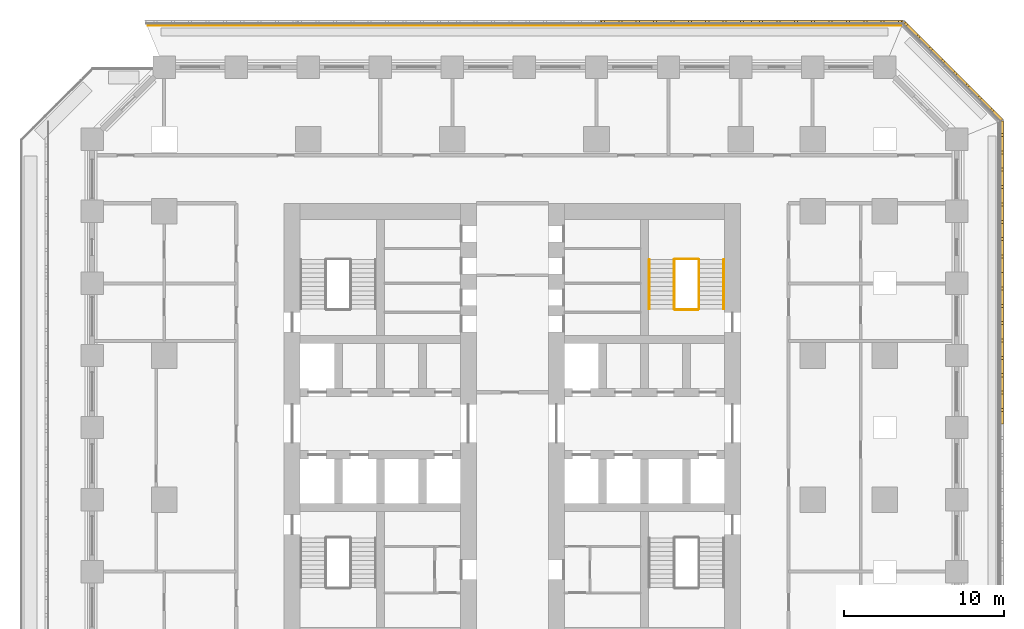
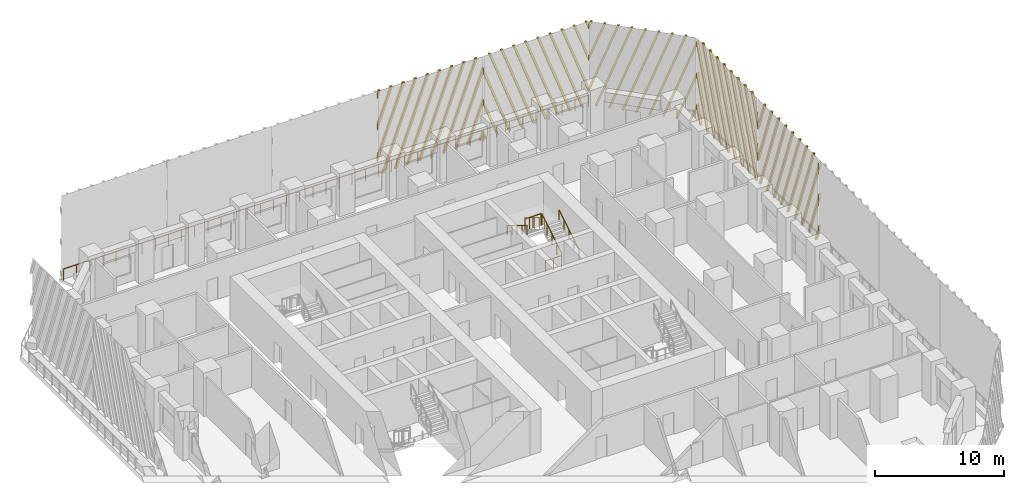
# One storey, part 13 of 15: 7 railings, 5 shading devices.
"""IFC4 building model written with IfcOpenShell, lengths in metres."""

from ifc_helpers import new_model, si_unit, direction, frame, origin, origin_2d, place, context, subcontext, project, spatial, polyline, circle, outline, extrude, source, transform, mapped, material, type_object, element, save


model = new_model("IFC4")

# Units and contexts
model_context = context("Model", 3, precision=1e-05, world=origin(), true_north=direction((0.0, 1.0)))
body_context = subcontext(model_context, "Body", "Model", "MODEL_VIEW")
ifc_project = project(units=[si_unit("LENGTHUNIT", "METRE"), si_unit("AREAUNIT", "SQUARE_METRE"), si_unit("VOLUMEUNIT", "CUBIC_METRE"), si_unit("PLANEANGLEUNIT", "RADIAN"), si_unit("MASSUNIT", "GRAM", prefix="KILO")], contexts=[model_context])

# Site, building, storey
site_placement = place(None, origin())
site = spatial("IfcSite", under=ifc_project, at=site_placement, CompositionType="ELEMENT")
building_placement = place(site_placement, origin())
building = spatial("IfcBuilding", under=site, at=building_placement, Name="Corbel Stack Research Tower", CompositionType="ELEMENT")
storey_placement = place(building_placement, frame((0.0, 0.0, 41.89990234375)))
storey = spatial("IfcBuildingStorey", under=building, at=storey_placement, Name="L09", CompositionType="ELEMENT", Elevation=41.89990234375)

# Railings
ifc_material_1 = material(Name="Steel S355", Category="steel")
railing_type_1 = type_object("IfcRailingType", Name="Stair guard 1100", PredefinedType="GUARDRAIL", material=ifc_material_1)
railing_1_placement = place(storey_placement, frame((15.39990234375, 11.89990234375, 0.1708984375)))
element("IfcRailing", 1, at=railing_1_placement, inside=storey, type_object=railing_type_1, Name="L09 ST-E2 stair guard 1", PredefinedType="GUARDRAIL", context=body_context, shape_type="SweptSolid", body=[
    extrude(circle(Radius=0.02392578125, at=origin_2d()), frame((0.0, 0.0, 1.076171875), z_axis=(0.0, 0.853666305674, 0.52082035152), x_axis=(-1.0, 0.0, 0.0)), (0.0, 0.0, 1.0), 3.608154296875),
    extrude(circle(Radius=0.02099609375, at=origin_2d()), origin(), (0.0, 0.0, 1.0), 1.052001953125),
    extrude(circle(Radius=0.02099609375, at=origin_2d()), frame((0.0, 0.77001953125, 0.4697265625)), (0.0, 0.0, 1.0), 1.052001953125),
    extrude(circle(Radius=0.02099609375, at=origin_2d()), frame((0.0, 1.5400390625, 0.939453125)), (0.0, 0.0, 1.0), 1.052001953125),
    extrude(circle(Radius=0.02099609375, at=origin_2d()), frame((0.0, 2.31005859375, 1.409423828125)), (0.0, 0.0, 1.0), 1.052001953125),
    extrude(circle(Radius=0.02099609375, at=origin_2d()), frame((0.0, 3.080078125, 1.879150390625)), (0.0, 0.0, 1.0), 1.052001953125),
])
railing_2_placement = place(storey_placement, frame((15.35009765625, 15.030029296875, 2.050048828125)))
element("IfcRailing", 2, at=railing_2_placement, inside=storey, type_object=railing_type_1, Name="L09 ST-E2 stair guard 2", PredefinedType="GUARDRAIL", context=body_context, shape_type="SweptSolid", body=[
    extrude(circle(Radius=0.02392578125, at=origin_2d()), frame((0.0, 0.0, 1.076171875), z_axis=(-1.0, 0.0, 0.0), x_axis=(0.0, -1.0, 0.0)), (0.0, 0.0, 1.0), 1.4501953125),
    extrude(circle(Radius=0.02099609375, at=origin_2d()), origin(), (0.0, 0.0, 1.0), 1.052001953125),
    extrude(circle(Radius=0.02099609375, at=origin_2d()), frame((-0.72509765625, 0.0, 0.0)), (0.0, 0.0, 1.0), 1.052001953125),
    extrude(circle(Radius=0.02099609375, at=origin_2d()), frame((-1.4501953125, 0.0, 0.0)), (0.0, 0.0, 1.0), 1.052001953125),
])
railing_3_placement = place(storey_placement, frame((13.85009765625, 14.97998046875, 2.220947265625)))
element("IfcRailing", 3, at=railing_3_placement, inside=storey, type_object=railing_type_1, Name="L09 ST-E2 stair guard 3", PredefinedType="GUARDRAIL", context=body_context, shape_type="SweptSolid", body=[
    extrude(circle(Radius=0.02392578125, at=origin_2d()), frame((0.0, 0.0, 1.076171875), z_axis=(0.0, -0.853666305674, 0.52082035152), x_axis=(1.0, 0.0, 0.0)), (0.0, 0.0, 1.0), 3.608154296875),
    extrude(circle(Radius=0.02099609375, at=origin_2d()), origin(), (0.0, 0.0, 1.0), 1.052001953125),
    extrude(circle(Radius=0.02099609375, at=origin_2d()), frame((0.0, -0.77001953125, 0.4697265625)), (0.0, 0.0, 1.0), 1.052001953125),
    extrude(circle(Radius=0.02099609375, at=origin_2d()), frame((0.0, -1.5400390625, 0.939453125)), (0.0, 0.0, 1.0), 1.052001953125),
    extrude(circle(Radius=0.02099609375, at=origin_2d()), frame((0.0, -2.31005859375, 1.409423828125)), (0.0, 0.0, 1.0), 1.052001953125),
    extrude(circle(Radius=0.02099609375, at=origin_2d()), frame((0.0, -3.080078125, 1.879150390625)), (0.0, 0.0, 1.0), 1.052001953125),
])
railing_4_placement = place(storey_placement, frame((15.35009765625, 11.85009765625, 0.0)))
element("IfcRailing", 4, at=railing_4_placement, inside=storey, type_object=railing_type_1, Name="L09 ST-E2 stair guard 4", PredefinedType="GUARDRAIL", context=body_context, shape_type="SweptSolid", body=[
    extrude(circle(Radius=0.02392578125, at=origin_2d()), frame((0.0, 0.0, 1.076171875), z_axis=(-1.0, 0.0, 0.0), x_axis=(0.0, -1.0, 0.0)), (0.0, 0.0, 1.0), 1.4501953125),
    extrude(circle(Radius=0.02099609375, at=origin_2d()), origin(), (0.0, 0.0, 1.0), 1.052001953125),
    extrude(circle(Radius=0.02099609375, at=origin_2d()), frame((-0.72509765625, 0.0, 0.0)), (0.0, 0.0, 1.0), 1.052001953125),
    extrude(circle(Radius=0.02099609375, at=origin_2d()), frame((-1.4501953125, 0.0, 0.0)), (0.0, 0.0, 1.0), 1.052001953125),
])
ifc_material_2 = material(Name="Steel S355", Category="steel")
railing_type_2 = type_object("IfcRailingType", Name="Stair handrail 900", PredefinedType="HANDRAIL", material=ifc_material_2)
railing_5_placement = place(storey_placement, frame((16.949951171875, 11.89990234375, 0.1708984375)))
element("IfcRailing", 5, at=railing_5_placement, inside=storey, type_object=railing_type_2, Name="L09 ST-E2 stair handrail 1", PredefinedType="HANDRAIL", context=body_context, shape_type="SweptSolid", body=[
    extrude(circle(Radius=0.02392578125, at=origin_2d()), frame((0.0, 0.0, 0.8759765625), z_axis=(0.0, 0.853666305674, 0.52082035152), x_axis=(-1.0, 0.0, 0.0)), (0.0, 0.0, 1.0), 3.608154296875),
    extrude(circle(Radius=0.02099609375, at=origin_2d()), origin(), (0.0, 0.0, 1.0), 0.851806640625),
    extrude(circle(Radius=0.02099609375, at=origin_2d()), frame((0.0, 0.77001953125, 0.4697265625)), (0.0, 0.0, 1.0), 0.851806640625),
    extrude(circle(Radius=0.02099609375, at=origin_2d()), frame((0.0, 1.5400390625, 0.939453125)), (0.0, 0.0, 1.0), 0.851806640625),
    extrude(circle(Radius=0.02099609375, at=origin_2d()), frame((0.0, 2.31005859375, 1.409423828125)), (0.0, 0.0, 1.0), 0.851806640625),
    extrude(circle(Radius=0.02099609375, at=origin_2d()), frame((0.0, 3.080078125, 1.879150390625)), (0.0, 0.0, 1.0), 0.851806640625),
])
railing_6_placement = place(storey_placement, frame((12.300048828125, 14.97998046875, 2.220947265625)))
element("IfcRailing", 6, at=railing_6_placement, inside=storey, type_object=railing_type_2, Name="L09 ST-E2 stair handrail 2", PredefinedType="HANDRAIL", context=body_context, shape_type="SweptSolid", body=[
    extrude(circle(Radius=0.02392578125, at=origin_2d()), frame((0.0, 0.0, 0.8759765625), z_axis=(0.0, -0.853666305674, 0.52082035152), x_axis=(1.0, 0.0, 0.0)), (0.0, 0.0, 1.0), 3.608154296875),
    extrude(circle(Radius=0.02099609375, at=origin_2d()), origin(), (0.0, 0.0, 1.0), 0.851806640625),
    extrude(circle(Radius=0.02099609375, at=origin_2d()), frame((0.0, -0.77001953125, 0.4697265625)), (0.0, 0.0, 1.0), 0.851806640625),
    extrude(circle(Radius=0.02099609375, at=origin_2d()), frame((0.0, -1.5400390625, 0.939453125)), (0.0, 0.0, 1.0), 0.851806640625),
    extrude(circle(Radius=0.02099609375, at=origin_2d()), frame((0.0, -2.31005859375, 1.409423828125)), (0.0, 0.0, 1.0), 0.851806640625),
    extrude(circle(Radius=0.02099609375, at=origin_2d()), frame((0.0, -3.080078125, 1.879150390625)), (0.0, 0.0, 1.0), 0.851806640625),
])
ifc_material_3 = material(Name="Powder-coated steel guard", Category="steel")
railing_type_3 = type_object("IfcRailingType", Name="Steel and glass guard 1100", PredefinedType="GUARDRAIL", material=ifc_material_3)
railing_7_placement = place(storey_placement, frame((28.00537109375, 29.60009765625, 0.0)))
element("IfcRailing", 7, at=railing_7_placement, inside=storey, type_object=railing_type_3, Name="Loggia guard L09 N", PredefinedType="GUARDRAIL", context=body_context, shape_type="SweptSolid", body=[
    extrude(circle(Radius=0.02392578125, at=origin_2d()), frame((0.0, 0.0, 1.076171875), z_axis=(-1.0, 0.0, 0.0), x_axis=(0.0, -1.0, 0.0)), (0.0, 0.0, 1.0), 47.0107421875),
    extrude(circle(Radius=0.02099609375, at=origin_2d()), origin(), (0.0, 0.0, 1.0), 1.052001953125),
    extrude(circle(Radius=0.02099609375, at=origin_2d()), frame((-1.17529296875, 0.0, 0.0)), (0.0, 0.0, 1.0), 1.052001953125),
    extrude(circle(Radius=0.02099609375, at=origin_2d()), frame((-2.3505859375, 0.0, 0.0)), (0.0, 0.0, 1.0), 1.052001953125),
    extrude(circle(Radius=0.02099609375, at=origin_2d()), frame((-3.52587890625, 0.0, 0.0)), (0.0, 0.0, 1.0), 1.052001953125),
    extrude(circle(Radius=0.02099609375, at=origin_2d()), frame((-4.701171875, 0.0, 0.0)), (0.0, 0.0, 1.0), 1.052001953125),
    extrude(circle(Radius=0.02099609375, at=origin_2d()), frame((-5.87646484375, 0.0, 0.0)), (0.0, 0.0, 1.0), 1.052001953125),
    extrude(circle(Radius=0.02099609375, at=origin_2d()), frame((-7.051513671875, 0.0, 0.0)), (0.0, 0.0, 1.0), 1.052001953125),
    extrude(circle(Radius=0.02099609375, at=origin_2d()), frame((-8.226806640625, 0.0, 0.0)), (0.0, 0.0, 1.0), 1.052001953125),
    extrude(circle(Radius=0.02099609375, at=origin_2d()), frame((-9.402099609375, 0.0, 0.0)), (0.0, 0.0, 1.0), 1.052001953125),
    extrude(circle(Radius=0.02099609375, at=origin_2d()), frame((-10.577392578125, 0.0, 0.0)), (0.0, 0.0, 1.0), 1.052001953125),
    extrude(circle(Radius=0.02099609375, at=origin_2d()), frame((-11.752685546875, 0.0, 0.0)), (0.0, 0.0, 1.0), 1.052001953125),
    extrude(circle(Radius=0.02099609375, at=origin_2d()), frame((-12.927978515625, 0.0, 0.0)), (0.0, 0.0, 1.0), 1.052001953125),
    extrude(circle(Radius=0.02099609375, at=origin_2d()), frame((-14.103271484375, 0.0, 0.0)), (0.0, 0.0, 1.0), 1.052001953125),
    extrude(circle(Radius=0.02099609375, at=origin_2d()), frame((-15.278564453125, 0.0, 0.0)), (0.0, 0.0, 1.0), 1.052001953125),
    extrude(circle(Radius=0.02099609375, at=origin_2d()), frame((-16.453857421875, 0.0, 0.0)), (0.0, 0.0, 1.0), 1.052001953125),
    extrude(circle(Radius=0.02099609375, at=origin_2d()), frame((-17.62890625, 0.0, 0.0)), (0.0, 0.0, 1.0), 1.052001953125),
    extrude(circle(Radius=0.02099609375, at=origin_2d()), frame((-18.80419921875, 0.0, 0.0)), (0.0, 0.0, 1.0), 1.052001953125),
    extrude(circle(Radius=0.02099609375, at=origin_2d()), frame((-19.9794921875, 0.0, 0.0)), (0.0, 0.0, 1.0), 1.052001953125),
    extrude(circle(Radius=0.02099609375, at=origin_2d()), frame((-21.15478515625, 0.0, 0.0)), (0.0, 0.0, 1.0), 1.052001953125),
    extrude(circle(Radius=0.02099609375, at=origin_2d()), frame((-22.330078125, 0.0, 0.0)), (0.0, 0.0, 1.0), 1.052001953125),
    extrude(circle(Radius=0.02099609375, at=origin_2d()), frame((-23.50537109375, 0.0, 0.0)), (0.0, 0.0, 1.0), 1.052001953125),
    extrude(circle(Radius=0.02099609375, at=origin_2d()), frame((-24.6806640625, 0.0, 0.0)), (0.0, 0.0, 1.0), 1.052001953125),
    extrude(circle(Radius=0.02099609375, at=origin_2d()), frame((-25.85595703125, 0.0, 0.0)), (0.0, 0.0, 1.0), 1.052001953125),
    extrude(circle(Radius=0.02099609375, at=origin_2d()), frame((-27.03125, 0.0, 0.0)), (0.0, 0.0, 1.0), 1.052001953125),
    extrude(circle(Radius=0.02099609375, at=origin_2d()), frame((-28.20654296875, 0.0, 0.0)), (0.0, 0.0, 1.0), 1.052001953125),
    extrude(circle(Radius=0.02099609375, at=origin_2d()), frame((-29.3818359375, 0.0, 0.0)), (0.0, 0.0, 1.0), 1.052001953125),
    extrude(circle(Radius=0.02099609375, at=origin_2d()), frame((-30.556884765625, 0.0, 0.0)), (0.0, 0.0, 1.0), 1.052001953125),
    extrude(circle(Radius=0.02099609375, at=origin_2d()), frame((-31.732177734375, 0.0, 0.0)), (0.0, 0.0, 1.0), 1.052001953125),
    extrude(circle(Radius=0.02099609375, at=origin_2d()), frame((-32.907470703125, 0.0, 0.0)), (0.0, 0.0, 1.0), 1.052001953125),
    extrude(circle(Radius=0.02099609375, at=origin_2d()), frame((-34.082763671875, 0.0, 0.0)), (0.0, 0.0, 1.0), 1.052001953125),
    extrude(circle(Radius=0.02099609375, at=origin_2d()), frame((-35.258056640625, 0.0, 0.0)), (0.0, 0.0, 1.0), 1.052001953125),
    extrude(circle(Radius=0.02099609375, at=origin_2d()), frame((-36.433349609375, 0.0, 0.0)), (0.0, 0.0, 1.0), 1.052001953125),
    extrude(circle(Radius=0.02099609375, at=origin_2d()), frame((-37.608642578125, 0.0, 0.0)), (0.0, 0.0, 1.0), 1.052001953125),
    extrude(circle(Radius=0.02099609375, at=origin_2d()), frame((-38.783935546875, 0.0, 0.0)), (0.0, 0.0, 1.0), 1.052001953125),
    extrude(circle(Radius=0.02099609375, at=origin_2d()), frame((-39.959228515625, 0.0, 0.0)), (0.0, 0.0, 1.0), 1.052001953125),
    extrude(circle(Radius=0.02099609375, at=origin_2d()), frame((-41.13427734375, 0.0, 0.0)), (0.0, 0.0, 1.0), 1.052001953125),
    extrude(circle(Radius=0.02099609375, at=origin_2d()), frame((-42.3095703125, 0.0, 0.0)), (0.0, 0.0, 1.0), 1.052001953125),
    extrude(circle(Radius=0.02099609375, at=origin_2d()), frame((-43.48486328125, 0.0, 0.0)), (0.0, 0.0, 1.0), 1.052001953125),
    extrude(circle(Radius=0.02099609375, at=origin_2d()), frame((-44.66015625, 0.0, 0.0)), (0.0, 0.0, 1.0), 1.052001953125),
    extrude(circle(Radius=0.02099609375, at=origin_2d()), frame((-45.83544921875, 0.0, 0.0)), (0.0, 0.0, 1.0), 1.052001953125),
    extrude(circle(Radius=0.02099609375, at=origin_2d()), frame((-47.0107421875, 0.0, 0.0)), (0.0, 0.0, 1.0), 1.052001953125),
])

# Shading devices
ifc_material_4 = material(Name="Precast terracotta", Category="masonry")
shading_device_type = type_object("IfcShadingDeviceType", Name="Terracotta screen panel", PredefinedType="USERDEFINED", material=ifc_material_4)
shared_shape_1 = source(origin(), body_context, "Body", "SweptSolid", [
    extrude(outline(polyline([(1.09033203125, 7.949951171875), (0.900390625, 7.949951171875), (0.0, 5.476318359375), (0.0, 4.9541015625), (1.09033203125, 7.949951171875)])), frame((0.0, 0.0, 0.0), z_axis=(0.0, -1.0, 0.0), x_axis=(1.0, 0.0, 0.0)), (0.0, 0.0, 1.0), 0.179931640625),
    extrude(outline(polyline([(2.175048828125, 7.949951171875), (1.985107421875, 7.949951171875), (0.0, 2.49609375), (0.0, 1.97412109375), (2.175048828125, 7.949951171875)])), frame((0.0, 0.0, 0.0), z_axis=(0.0, -1.0, 0.0), x_axis=(1.0, 0.0, 0.0)), (0.0, 0.0, 1.0), 0.179931640625),
    extrude(outline(polyline([(0.3662109375, 0.0), (3.259765625, 7.949951171875), (3.069580078125, 7.949951171875), (0.17626953125, 0.0), (0.3662109375, 0.0)])), frame((0.0, 0.0, 0.0), z_axis=(0.0, -1.0, 0.0), x_axis=(1.0, 0.0, 0.0)), (0.0, 0.0, 1.0), 0.179931640625),
    extrude(outline(polyline([(1.45068359375, 0.0), (4.344482421875, 7.949951171875), (4.154296875, 7.949951171875), (1.2607421875, 0.0), (1.45068359375, 0.0)])), frame((0.0, 0.0, 0.0), z_axis=(0.0, -1.0, 0.0), x_axis=(1.0, 0.0, 0.0)), (0.0, 0.0, 1.0), 0.179931640625),
    extrude(outline(polyline([(2.535400390625, 0.0), (5.42919921875, 7.949951171875), (5.239013671875, 7.949951171875), (2.345458984375, 0.0), (2.535400390625, 0.0)])), frame((0.0, 0.0, 0.0), z_axis=(0.0, -1.0, 0.0), x_axis=(1.0, 0.0, 0.0)), (0.0, 0.0, 1.0), 0.179931640625),
    extrude(outline(polyline([(3.6201171875, 0.0), (6.513671875, 7.949951171875), (6.32373046875, 7.949951171875), (3.43017578125, 0.0), (3.6201171875, 0.0)])), frame((0.0, 0.0, 0.0), z_axis=(0.0, -1.0, 0.0), x_axis=(1.0, 0.0, 0.0)), (0.0, 0.0, 1.0), 0.179931640625),
    extrude(outline(polyline([(4.704833984375, 0.0), (7.598388671875, 7.949951171875), (7.408447265625, 7.949951171875), (4.514892578125, 0.0), (4.704833984375, 0.0)])), frame((0.0, 0.0, 0.0), z_axis=(0.0, -1.0, 0.0), x_axis=(1.0, 0.0, 0.0)), (0.0, 0.0, 1.0), 0.179931640625),
    extrude(outline(polyline([(5.78955078125, 0.0), (8.68310546875, 7.949951171875), (8.4931640625, 7.949951171875), (5.599609375, 0.0), (5.78955078125, 0.0)])), frame((0.0, 0.0, 0.0), z_axis=(0.0, -1.0, 0.0), x_axis=(1.0, 0.0, 0.0)), (0.0, 0.0, 1.0), 0.179931640625),
    extrude(outline(polyline([(6.874267578125, 0.0), (9.45556640625, 7.092529296875), (9.45556640625, 7.614501953125), (6.68408203125, 0.0), (6.874267578125, 0.0)])), frame((0.0, 0.0, 0.0), z_axis=(0.0, -1.0, 0.0), x_axis=(1.0, 0.0, 0.0)), (0.0, 0.0, 1.0), 0.179931640625),
    extrude(outline(polyline([(7.958740234375, 0.0), (9.45556640625, 4.1123046875), (9.45556640625, 4.634521484375), (7.768798828125, 0.0), (7.958740234375, 0.0)])), frame((0.0, 0.0, 0.0), z_axis=(0.0, -1.0, 0.0), x_axis=(1.0, 0.0, 0.0)), (0.0, 0.0, 1.0), 0.179931640625),
    extrude(outline(polyline([(9.04345703125, 0.0), (9.45556640625, 1.13232421875), (9.45556640625, 1.654296875), (8.853515625, 0.0), (9.04345703125, 0.0)])), frame((0.0, 0.0, 0.0), z_axis=(0.0, -1.0, 0.0), x_axis=(1.0, 0.0, 0.0)), (0.0, 0.0, 1.0), 0.179931640625),
])
shading_device_1_placement = place(storey_placement, frame((34.25, 14.18359375, 0.0), z_axis=(0.0, 0.0, 1.0), x_axis=(0.0, 1.0, 0.0)))
element("IfcShadingDevice", 8, at=shading_device_1_placement, inside=storey, type_object=shading_device_type, Name="Terracotta screen L09 E5", ObjectType="SCREEN", PredefinedType="USERDEFINED", context=body_context, shape_type="MappedRepresentation", body=[
    mapped(shared_shape_1, transform((0.0, 0.0, 0.0))),
])
shared_shape_2 = source(origin(), body_context, "Body", "SweptSolid", [
    extrude(outline(polyline([(0.60205078125, 0.0), (0.0, 1.654296875), (0.0, 1.13232421875), (0.412109375, 0.0), (0.60205078125, 0.0)])), frame((0.0, 0.0, 0.0), z_axis=(0.0, -1.0, 0.0), x_axis=(1.0, 0.0, 0.0)), (0.0, 0.0, 1.0), 0.179931640625),
    extrude(outline(polyline([(1.686767578125, 0.0), (0.0, 4.634521484375), (0.0, 4.1123046875), (1.496826171875, 0.0), (1.686767578125, 0.0)])), frame((0.0, 0.0, 0.0), z_axis=(0.0, -1.0, 0.0), x_axis=(1.0, 0.0, 0.0)), (0.0, 0.0, 1.0), 0.179931640625),
    extrude(outline(polyline([(2.771484375, 0.0), (0.0, 7.614501953125), (0.0, 7.092529296875), (2.58154296875, 0.0), (2.771484375, 0.0)])), frame((0.0, 0.0, 0.0), z_axis=(0.0, -1.0, 0.0), x_axis=(1.0, 0.0, 0.0)), (0.0, 0.0, 1.0), 0.179931640625),
    extrude(outline(polyline([(3.856201171875, 0.0), (0.962646484375, 7.949951171875), (0.772705078125, 7.949951171875), (3.666015625, 0.0), (3.856201171875, 0.0)])), frame((0.0, 0.0, 0.0), z_axis=(0.0, -1.0, 0.0), x_axis=(1.0, 0.0, 0.0)), (0.0, 0.0, 1.0), 0.179931640625),
    extrude(outline(polyline([(4.94091796875, 0.0), (2.047119140625, 7.949951171875), (1.857177734375, 7.949951171875), (4.750732421875, 0.0), (4.94091796875, 0.0)])), frame((0.0, 0.0, 0.0), z_axis=(0.0, -1.0, 0.0), x_axis=(1.0, 0.0, 0.0)), (0.0, 0.0, 1.0), 0.179931640625),
    extrude(outline(polyline([(6.025390625, 0.0), (3.1318359375, 7.949951171875), (2.94189453125, 7.949951171875), (5.83544921875, 0.0), (6.025390625, 0.0)])), frame((0.0, 0.0, 0.0), z_axis=(0.0, -1.0, 0.0), x_axis=(1.0, 0.0, 0.0)), (0.0, 0.0, 1.0), 0.179931640625),
    extrude(outline(polyline([(7.110107421875, 0.0), (4.216552734375, 7.949951171875), (4.026611328125, 7.949951171875), (6.920166015625, 0.0), (7.110107421875, 0.0)])), frame((0.0, 0.0, 0.0), z_axis=(0.0, -1.0, 0.0), x_axis=(1.0, 0.0, 0.0)), (0.0, 0.0, 1.0), 0.179931640625),
    extrude(outline(polyline([(8.19482421875, 0.0), (5.30126953125, 7.949951171875), (5.111083984375, 7.949951171875), (8.0048828125, 0.0), (8.19482421875, 0.0)])), frame((0.0, 0.0, 0.0), z_axis=(0.0, -1.0, 0.0), x_axis=(1.0, 0.0, 0.0)), (0.0, 0.0, 1.0), 0.179931640625),
    extrude(outline(polyline([(9.279541015625, 0.0), (6.385986328125, 7.949951171875), (6.19580078125, 7.949951171875), (9.089599609375, 0.0), (9.279541015625, 0.0)])), frame((0.0, 0.0, 0.0), z_axis=(0.0, -1.0, 0.0), x_axis=(1.0, 0.0, 0.0)), (0.0, 0.0, 1.0), 0.179931640625),
    extrude(outline(polyline([(7.470703125, 7.949951171875), (7.280517578125, 7.949951171875), (9.45556640625, 1.97412109375), (9.45556640625, 2.49609375), (7.470703125, 7.949951171875)])), frame((0.0, 0.0, 0.0), z_axis=(0.0, -1.0, 0.0), x_axis=(1.0, 0.0, 0.0)), (0.0, 0.0, 1.0), 0.179931640625),
    extrude(outline(polyline([(8.55517578125, 7.949951171875), (8.365234375, 7.949951171875), (9.45556640625, 4.9541015625), (9.45556640625, 5.476318359375), (8.55517578125, 7.949951171875)])), frame((0.0, 0.0, 0.0), z_axis=(0.0, -1.0, 0.0), x_axis=(1.0, 0.0, 0.0)), (0.0, 0.0, 1.0), 0.179931640625),
])
shading_device_2_placement = place(storey_placement, frame((34.25, 4.727783203125, 0.0), z_axis=(0.0, 0.0, 1.0), x_axis=(0.0, 1.0, 0.0)))
element("IfcShadingDevice", 9, at=shading_device_2_placement, inside=storey, type_object=shading_device_type, Name="Terracotta screen L09 E4", ObjectType="SCREEN", PredefinedType="USERDEFINED", context=body_context, shape_type="MappedRepresentation", body=[
    mapped(shared_shape_2, transform((0.0, 0.0, 0.0))),
])
shared_shape_3 = source(origin(), body_context, "Body", "SweptSolid", [
    extrude(outline(polyline([(0.27685546875, 7.949951171875), (0.0869140625, 7.949951171875), (0.0, 7.711181640625), (0.0, 7.189208984375), (0.27685546875, 7.949951171875)])), frame((0.0, 0.0, 0.0), z_axis=(0.0, -1.0, 0.0), x_axis=(1.0, 0.0, 0.0)), (0.0, 0.0, 1.0), 0.179931640625),
    extrude(outline(polyline([(1.361572265625, 7.949951171875), (1.171630859375, 7.949951171875), (0.0, 4.731201171875), (0.0, 4.208984375), (1.361572265625, 7.949951171875)])), frame((0.0, 0.0, 0.0), z_axis=(0.0, -1.0, 0.0), x_axis=(1.0, 0.0, 0.0)), (0.0, 0.0, 1.0), 0.179931640625),
    extrude(outline(polyline([(2.4462890625, 7.949951171875), (2.256103515625, 7.949951171875), (0.0, 1.751220703125), (0.0, 1.22900390625), (2.4462890625, 7.949951171875)])), frame((0.0, 0.0, 0.0), z_axis=(0.0, -1.0, 0.0), x_axis=(1.0, 0.0, 0.0)), (0.0, 0.0, 1.0), 0.179931640625),
    extrude(outline(polyline([(0.63720703125, 0.0), (3.531005859375, 7.949951171875), (3.3408203125, 7.949951171875), (0.447265625, 0.0), (0.63720703125, 0.0)])), frame((0.0, 0.0, 0.0), z_axis=(0.0, -1.0, 0.0), x_axis=(1.0, 0.0, 0.0)), (0.0, 0.0, 1.0), 0.179931640625),
    extrude(outline(polyline([(1.721923828125, 0.0), (4.615478515625, 7.949951171875), (4.425537109375, 7.949951171875), (1.531982421875, 0.0), (1.721923828125, 0.0)])), frame((0.0, 0.0, 0.0), z_axis=(0.0, -1.0, 0.0), x_axis=(1.0, 0.0, 0.0)), (0.0, 0.0, 1.0), 0.179931640625),
    extrude(outline(polyline([(2.806640625, 0.0), (5.7001953125, 7.949951171875), (5.51025390625, 7.949951171875), (2.61669921875, 0.0), (2.806640625, 0.0)])), frame((0.0, 0.0, 0.0), z_axis=(0.0, -1.0, 0.0), x_axis=(1.0, 0.0, 0.0)), (0.0, 0.0, 1.0), 0.179931640625),
    extrude(outline(polyline([(3.891357421875, 0.0), (6.784912109375, 7.949951171875), (6.594970703125, 7.949951171875), (3.701416015625, 0.0), (3.891357421875, 0.0)])), frame((0.0, 0.0, 0.0), z_axis=(0.0, -1.0, 0.0), x_axis=(1.0, 0.0, 0.0)), (0.0, 0.0, 1.0), 0.179931640625),
    extrude(outline(polyline([(4.97607421875, 0.0), (7.86962890625, 7.949951171875), (7.6796875, 7.949951171875), (4.785888671875, 0.0), (4.97607421875, 0.0)])), frame((0.0, 0.0, 0.0), z_axis=(0.0, -1.0, 0.0), x_axis=(1.0, 0.0, 0.0)), (0.0, 0.0, 1.0), 0.179931640625),
    extrude(outline(polyline([(6.060791015625, 0.0), (8.9541015625, 7.949951171875), (8.76416015625, 7.949951171875), (5.87060546875, 0.0), (6.060791015625, 0.0)])), frame((0.0, 0.0, 0.0), z_axis=(0.0, -1.0, 0.0), x_axis=(1.0, 0.0, 0.0)), (0.0, 0.0, 1.0), 0.179931640625),
    extrude(outline(polyline([(7.145263671875, 0.0), (9.45556640625, 6.347412109375), (9.45556640625, 6.869384765625), (6.955322265625, 0.0), (7.145263671875, 0.0)])), frame((0.0, 0.0, 0.0), z_axis=(0.0, -1.0, 0.0), x_axis=(1.0, 0.0, 0.0)), (0.0, 0.0, 1.0), 0.179931640625),
    extrude(outline(polyline([(8.22998046875, 0.0), (9.45556640625, 3.367431640625), (9.45556640625, 3.889404296875), (8.0400390625, 0.0), (8.22998046875, 0.0)])), frame((0.0, 0.0, 0.0), z_axis=(0.0, -1.0, 0.0), x_axis=(1.0, 0.0, 0.0)), (0.0, 0.0, 1.0), 0.179931640625),
    extrude(outline(polyline([(9.314697265625, 0.0), (9.45556640625, 0.38720703125), (9.45556640625, 0.9091796875), (9.124755859375, 0.0), (9.314697265625, 0.0)])), frame((0.0, 0.0, 0.0), z_axis=(0.0, -1.0, 0.0), x_axis=(1.0, 0.0, 0.0)), (0.0, 0.0, 1.0), 0.179931640625),
])
shading_device_3_placement = place(storey_placement, frame((28.13916015625, 29.75, 0.0), z_axis=(0.0, 0.0, 1.0), x_axis=(-1.0, 0.0, 0.0)))
element("IfcShadingDevice", 10, at=shading_device_3_placement, inside=storey, type_object=shading_device_type, Name="Terracotta screen L09 N1", ObjectType="SCREEN", PredefinedType="USERDEFINED", context=body_context, shape_type="MappedRepresentation", body=[
    mapped(shared_shape_3, transform((0.0, 0.0, 0.0))),
])
shared_shape_4 = source(origin(), body_context, "Body", "SweptSolid", [
    extrude(outline(polyline([(0.3310546875, 0.0), (0.0, 0.9091796875), (0.0, 0.38720703125), (0.14111328125, 0.0), (0.3310546875, 0.0)])), frame((0.0, 0.0, 0.0), z_axis=(0.0, -1.0, 0.0), x_axis=(1.0, 0.0, 0.0)), (0.0, 0.0, 1.0), 0.179931640625),
    extrude(outline(polyline([(1.41552734375, 0.0), (0.0, 3.889404296875), (0.0, 3.367431640625), (1.2255859375, 0.0), (1.41552734375, 0.0)])), frame((0.0, 0.0, 0.0), z_axis=(0.0, -1.0, 0.0), x_axis=(1.0, 0.0, 0.0)), (0.0, 0.0, 1.0), 0.179931640625),
    extrude(outline(polyline([(2.500244140625, 0.0), (0.0, 6.869384765625), (0.0, 6.347412109375), (2.310302734375, 0.0), (2.500244140625, 0.0)])), frame((0.0, 0.0, 0.0), z_axis=(0.0, -1.0, 0.0), x_axis=(1.0, 0.0, 0.0)), (0.0, 0.0, 1.0), 0.179931640625),
    extrude(outline(polyline([(3.5849609375, 0.0), (0.69140625, 7.949951171875), (0.50146484375, 7.949951171875), (3.39501953125, 0.0), (3.5849609375, 0.0)])), frame((0.0, 0.0, 0.0), z_axis=(0.0, -1.0, 0.0), x_axis=(1.0, 0.0, 0.0)), (0.0, 0.0, 1.0), 0.179931640625),
    extrude(outline(polyline([(4.669677734375, 0.0), (1.776123046875, 7.949951171875), (1.586181640625, 7.949951171875), (4.4794921875, 0.0), (4.669677734375, 0.0)])), frame((0.0, 0.0, 0.0), z_axis=(0.0, -1.0, 0.0), x_axis=(1.0, 0.0, 0.0)), (0.0, 0.0, 1.0), 0.179931640625),
    extrude(outline(polyline([(5.75439453125, 0.0), (2.860595703125, 7.949951171875), (2.670654296875, 7.949951171875), (5.564208984375, 0.0), (5.75439453125, 0.0)])), frame((0.0, 0.0, 0.0), z_axis=(0.0, -1.0, 0.0), x_axis=(1.0, 0.0, 0.0)), (0.0, 0.0, 1.0), 0.179931640625),
    extrude(outline(polyline([(6.839111328125, 0.0), (3.9453125, 7.949951171875), (3.75537109375, 7.949951171875), (6.64892578125, 0.0), (6.839111328125, 0.0)])), frame((0.0, 0.0, 0.0), z_axis=(0.0, -1.0, 0.0), x_axis=(1.0, 0.0, 0.0)), (0.0, 0.0, 1.0), 0.179931640625),
    extrude(outline(polyline([(7.923583984375, 0.0), (5.030029296875, 7.949951171875), (4.840087890625, 7.949951171875), (7.733642578125, 0.0), (7.923583984375, 0.0)])), frame((0.0, 0.0, 0.0), z_axis=(0.0, -1.0, 0.0), x_axis=(1.0, 0.0, 0.0)), (0.0, 0.0, 1.0), 0.179931640625),
    extrude(outline(polyline([(9.00830078125, 0.0), (6.11474609375, 7.949951171875), (5.9248046875, 7.949951171875), (8.818359375, 0.0), (9.00830078125, 0.0)])), frame((0.0, 0.0, 0.0), z_axis=(0.0, -1.0, 0.0), x_axis=(1.0, 0.0, 0.0)), (0.0, 0.0, 1.0), 0.179931640625),
    extrude(outline(polyline([(7.199462890625, 7.949951171875), (7.009521484375, 7.949951171875), (9.45556640625, 1.22900390625), (9.45556640625, 1.751220703125), (7.199462890625, 7.949951171875)])), frame((0.0, 0.0, 0.0), z_axis=(0.0, -1.0, 0.0), x_axis=(1.0, 0.0, 0.0)), (0.0, 0.0, 1.0), 0.179931640625),
    extrude(outline(polyline([(8.2841796875, 7.949951171875), (8.093994140625, 7.949951171875), (9.45556640625, 4.208984375), (9.45556640625, 4.731201171875), (8.2841796875, 7.949951171875)])), frame((0.0, 0.0, 0.0), z_axis=(0.0, -1.0, 0.0), x_axis=(1.0, 0.0, 0.0)), (0.0, 0.0, 1.0), 0.179931640625),
    extrude(outline(polyline([(9.36865234375, 7.949951171875), (9.1787109375, 7.949951171875), (9.45556640625, 7.189208984375), (9.45556640625, 7.711181640625), (9.36865234375, 7.949951171875)])), frame((0.0, 0.0, 0.0), z_axis=(0.0, -1.0, 0.0), x_axis=(1.0, 0.0, 0.0)), (0.0, 0.0, 1.0), 0.179931640625),
])
shading_device_4_placement = place(storey_placement, frame((18.68359375, 29.75, 0.0), z_axis=(0.0, 0.0, 1.0), x_axis=(-1.0, 0.0, 0.0)))
element("IfcShadingDevice", 11, at=shading_device_4_placement, inside=storey, type_object=shading_device_type, Name="Terracotta screen L09 N2", ObjectType="SCREEN", PredefinedType="USERDEFINED", context=body_context, shape_type="MappedRepresentation", body=[
    mapped(shared_shape_4, transform((0.0, 0.0, 0.0))),
])
shared_shape_5 = source(origin(), body_context, "Body", "SweptSolid", [
    extrude(outline(polyline([(0.60205078125, 0.0), (0.0, 1.654296875), (0.0, 1.13232421875), (0.412109375, 0.0), (0.60205078125, 0.0)])), frame((0.0, 0.0, 0.0), z_axis=(0.0, -1.0, 0.0), x_axis=(1.0, 0.0, 0.0)), (0.0, 0.0, 1.0), 0.179931640625),
    extrude(outline(polyline([(1.686767578125, 0.0), (0.0, 4.634521484375), (0.0, 4.1123046875), (1.496826171875, 0.0), (1.686767578125, 0.0)])), frame((0.0, 0.0, 0.0), z_axis=(0.0, -1.0, 0.0), x_axis=(1.0, 0.0, 0.0)), (0.0, 0.0, 1.0), 0.179931640625),
    extrude(outline(polyline([(2.771484375, 0.0), (0.0, 7.614501953125), (0.0, 7.092529296875), (2.58154296875, 0.0), (2.771484375, 0.0)])), frame((0.0, 0.0, 0.0), z_axis=(0.0, -1.0, 0.0), x_axis=(1.0, 0.0, 0.0)), (0.0, 0.0, 1.0), 0.179931640625),
    extrude(outline(polyline([(3.856201171875, 0.0), (0.962646484375, 7.949951171875), (0.772705078125, 7.949951171875), (3.666015625, 0.0), (3.856201171875, 0.0)])), frame((0.0, 0.0, 0.0), z_axis=(0.0, -1.0, 0.0), x_axis=(1.0, 0.0, 0.0)), (0.0, 0.0, 1.0), 0.179931640625),
    extrude(outline(polyline([(4.94091796875, 0.0), (2.047119140625, 7.949951171875), (1.857177734375, 7.949951171875), (4.750732421875, 0.0), (4.94091796875, 0.0)])), frame((0.0, 0.0, 0.0), z_axis=(0.0, -1.0, 0.0), x_axis=(1.0, 0.0, 0.0)), (0.0, 0.0, 1.0), 0.179931640625),
    extrude(outline(polyline([(6.025390625, 0.0), (3.1318359375, 7.949951171875), (2.94189453125, 7.949951171875), (5.83544921875, 0.0), (6.025390625, 0.0)])), frame((0.0, 0.0, 0.0), z_axis=(0.0, -1.0, 0.0), x_axis=(1.0, 0.0, 0.0)), (0.0, 0.0, 1.0), 0.179931640625),
    extrude(outline(polyline([(7.110107421875, 0.0), (4.216552734375, 7.949951171875), (4.026611328125, 7.949951171875), (6.920166015625, 0.0), (7.110107421875, 0.0)])), frame((0.0, 0.0, 0.0), z_axis=(0.0, -1.0, 0.0), x_axis=(1.0, 0.0, 0.0)), (0.0, 0.0, 1.0), 0.179931640625),
    extrude(outline(polyline([(8.19482421875, 0.0), (5.30126953125, 7.949951171875), (5.111083984375, 7.949951171875), (8.0048828125, 0.0), (8.19482421875, 0.0)])), frame((0.0, 0.0, 0.0), z_axis=(0.0, -1.0, 0.0), x_axis=(1.0, 0.0, 0.0)), (0.0, 0.0, 1.0), 0.179931640625),
    extrude(outline(polyline([(6.385986328125, 7.949951171875), (6.19580078125, 7.949951171875), (8.64208984375, 1.22900390625), (8.64208984375, 1.751220703125), (6.385986328125, 7.949951171875)])), frame((0.0, 0.0, 0.0), z_axis=(0.0, -1.0, 0.0), x_axis=(1.0, 0.0, 0.0)), (0.0, 0.0, 1.0), 0.179931640625),
    extrude(outline(polyline([(7.470703125, 7.949951171875), (7.280517578125, 7.949951171875), (8.64208984375, 4.208984375), (8.64208984375, 4.731201171875), (7.470703125, 7.949951171875)])), frame((0.0, 0.0, 0.0), z_axis=(0.0, -1.0, 0.0), x_axis=(1.0, 0.0, 0.0)), (0.0, 0.0, 1.0), 0.179931640625),
    extrude(outline(polyline([(8.55517578125, 7.949951171875), (8.365234375, 7.949951171875), (8.64208984375, 7.189208984375), (8.64208984375, 7.711181640625), (8.55517578125, 7.949951171875)])), frame((0.0, 0.0, 0.0), z_axis=(0.0, -1.0, 0.0), x_axis=(1.0, 0.0, 0.0)), (0.0, 0.0, 1.0), 0.179931640625),
])
shading_device_5_placement = place(storey_placement, frame((34.25, 23.63916015625, 0.0), z_axis=(0.0, 0.0, 1.0), x_axis=(-0.707106781187, 0.707106781187, 0.0)))
element("IfcShadingDevice", 12, at=shading_device_5_placement, inside=storey, type_object=shading_device_type, Name="Terracotta screen L09 NE1", ObjectType="SCREEN", PredefinedType="USERDEFINED", context=body_context, shape_type="MappedRepresentation", body=[
    mapped(shared_shape_5, transform((0.0, 0.0, 0.0))),
])

save(model, "model.ifc")
